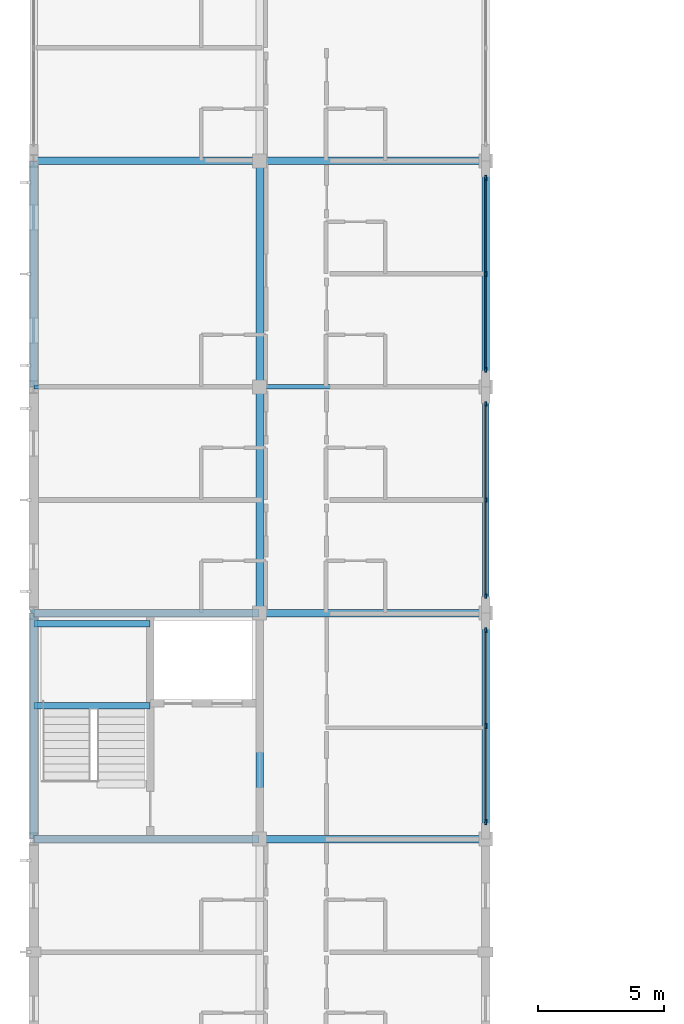
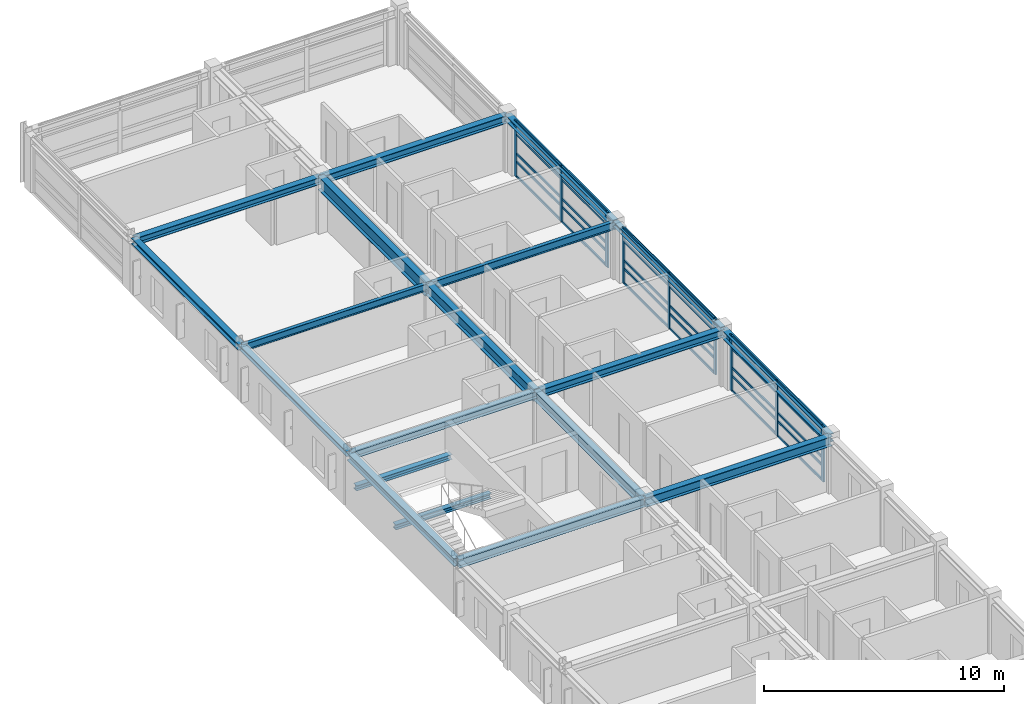
# One storey, part 8 of 30: 39 members, 19 beams, 3 elements without a shape of their own.
"""IFC4 building model written with IfcOpenShell, lengths in metres."""

from ifc_helpers import new_model, si_unit, direction, frame, origin, origin_2d, place, context, subcontext, project, spatial, rectangle, i_section, extrude, material, material_profile, profile_set, type_object, element, aggregate, save


model = new_model("IFC4")

# Units and contexts
model_context = context("Model", 3, precision=1e-05, world=origin(), true_north=direction((0.0, 1.0)))
body_context = subcontext(model_context, "Body", "Model", "MODEL_VIEW")
ifc_project = project(units=[si_unit("LENGTHUNIT", "METRE"), si_unit("AREAUNIT", "SQUARE_METRE"), si_unit("VOLUMEUNIT", "CUBIC_METRE"), si_unit("PLANEANGLEUNIT", "RADIAN"), si_unit("MASSUNIT", "GRAM", prefix="KILO")], contexts=[model_context])

# Site, building, storey
site_placement = place(None, origin())
site = spatial("IfcSite", under=ifc_project, at=site_placement, CompositionType="ELEMENT")
building_placement = place(site_placement, origin())
building = spatial("IfcBuilding", under=site, at=building_placement, Name="Palais des Congres Ocreval", CompositionType="ELEMENT")
storey_placement = place(building_placement, frame((0.0, 0.0, 14.56005859375)))
storey = spatial("IfcBuildingStorey", under=building, at=storey_placement, Name="L04", CompositionType="ELEMENT", Elevation=14.56005859375)

# Beams
ifc_material_1 = material(Name="Steel S355", Category="steel")
ifc_material_profile_1 = material_profile(ifc_material_1, i_section(OverallWidth=0.169921875, OverallDepth=0.360107421875, WebThickness=0.008056640625, FlangeThickness=0.0126953125, at=origin_2d()), Name="IPE 360")
ifc_profile_set_1 = profile_set([ifc_material_profile_1], Name="Steel S355")
beam_type_1 = type_object("IfcBeamType", Name="Composite Beam IPE 360 Steel S355", PredefinedType="BEAM", material=ifc_profile_set_1)
beam_1_placement = place(storey_placement, frame((0.02001953125, 54.0, 2.599853515625), z_axis=(1.0, 0.0, 0.0), x_axis=(0.0, 1.0, 0.0)))
element("IfcBeam", 1, at=beam_1_placement, inside=storey, type_object=beam_type_1, Name="Beam B01 L04", PredefinedType="BEAM", context=body_context, shape_type="SweptSolid", body=[
    extrude(i_section(OverallWidth=0.169921875, OverallDepth=0.360107421875, WebThickness=0.008056640625, FlangeThickness=0.0126953125, at=origin_2d()), origin(), (0.0, 0.0, 1.0), 8.9599609375),
])
ifc_material_profile_2 = material_profile(ifc_material_1, i_section(OverallWidth=0.179931640625, OverallDepth=0.39990234375, WebThickness=0.008544921875, FlangeThickness=0.013427734375, at=origin_2d()), Name="IPE 400")
ifc_profile_set_2 = profile_set([ifc_material_profile_2], Name="Steel S355")
beam_type_2 = type_object("IfcBeamType", Name="Composite Beam IPE 400 Steel S355", PredefinedType="BEAM", material=ifc_profile_set_2)
beam_2_placement = place(storey_placement, frame((9.02001953125, 54.0, 2.579833984375), z_axis=(1.0, 0.0, 0.0), x_axis=(0.0, 1.0, 0.0)))
element("IfcBeam", 2, at=beam_2_placement, inside=storey, type_object=beam_type_2, Name="Beam B02 L04", PredefinedType="BEAM", context=body_context, shape_type="SweptSolid", body=[
    extrude(i_section(OverallWidth=0.179931640625, OverallDepth=0.39990234375, WebThickness=0.008544921875, FlangeThickness=0.013427734375, at=origin_2d()), origin(), (0.0, 0.0, 1.0), 8.9599609375),
])

# Curtain wall, members
ifc_material_2 = material(Name="Anodized bronze aluminium and low-E glass", Category="glass")
curtain_wall_type = type_object("IfcCurtainWallType", Name="Unitised Curtain Wall 7900x2820", PredefinedType="USERDEFINED", material=ifc_material_2)
curtain_wall_1_placement = place(storey_placement, origin())
curtain_wall_1 = element("IfcCurtainWall", 3, at=curtain_wall_1_placement, inside=storey, type_object=curtain_wall_type, Name="Unitised Curtain Wall CW04 L04", ObjectType="UNITISED CURTAIN WALL", PredefinedType="USERDEFINED")
ifc_material_3 = material(Name="Anodized bronze aluminium", Category="aluminium")
ifc_material_profile_3 = material_profile(ifc_material_3, rectangle(XDim=0.06494140625, YDim=0.179931640625, at=origin_2d()), Name="ALU 65x180")
ifc_profile_set_3 = profile_set([ifc_material_profile_3], Name="Anodized bronze aluminium")
member_type_1 = type_object("IfcMemberType", Name="Curtain Wall Mullion ALU 65x180", PredefinedType="MULLION", material=ifc_profile_set_3)
member_1_placement = place(storey_placement, frame((18.0, 53.3173828125, 0.0), z_axis=(0.0, 0.0, 1.0), x_axis=(1.0, 0.0, 0.0)))
member_1 = element("IfcMember", 4, at=member_1_placement, type_object=member_type_1, Name="Curtain Wall Mullion ML03", PredefinedType="MULLION", context=body_context, shape_type="SweptSolid", body=[
    extrude(rectangle(XDim=0.06494140625, YDim=0.179931640625, at=origin_2d()), origin(), (0.0, 0.0, 1.0), 2.81982421875),
])
member_2_placement = place(storey_placement, frame((18.0, 49.5, 0.0), z_axis=(0.0, 0.0, 1.0), x_axis=(1.0, 0.0, 0.0)))
member_2 = element("IfcMember", 5, at=member_2_placement, type_object=member_type_1, Name="Curtain Wall Mullion ML03", PredefinedType="MULLION", context=body_context, shape_type="SweptSolid", body=[
    extrude(rectangle(XDim=0.06494140625, YDim=0.179931640625, at=origin_2d()), origin(), (0.0, 0.0, 1.0), 2.81982421875),
])
member_3_placement = place(storey_placement, frame((18.0, 45.6826171875, 0.0), z_axis=(0.0, 0.0, 1.0), x_axis=(1.0, 0.0, 0.0)))
member_3 = element("IfcMember", 6, at=member_3_placement, type_object=member_type_1, Name="Curtain Wall Mullion ML03", PredefinedType="MULLION", context=body_context, shape_type="SweptSolid", body=[
    extrude(rectangle(XDim=0.06494140625, YDim=0.179931640625, at=origin_2d()), origin(), (0.0, 0.0, 1.0), 2.81982421875),
])

curtain_wall_2_placement = place(storey_placement, origin())
curtain_wall_2 = element("IfcCurtainWall", 7, at=curtain_wall_2_placement, inside=storey, type_object=curtain_wall_type, Name="Unitised Curtain Wall CW04 L04", ObjectType="UNITISED CURTAIN WALL", PredefinedType="USERDEFINED")
ifc_material_profile_4 = material_profile(ifc_material_3, rectangle(XDim=0.070068359375, YDim=0.2099609375, at=origin_2d()), Name="ALU 70x210")
ifc_profile_set_4 = profile_set([ifc_material_profile_4], Name="Anodized bronze aluminium")
member_type_2 = type_object("IfcMemberType", Name="Curtain Wall Mullion ALU 70x210", PredefinedType="MULLION", material=ifc_profile_set_4)
member_4_placement = place(storey_placement, frame((18.0, 62.31494140625, 0.0), z_axis=(0.0, 0.0, 1.0), x_axis=(1.0, 0.0, 0.0)))
member_4 = element("IfcMember", 8, at=member_4_placement, type_object=member_type_2, Name="Curtain Wall Mullion ML02", PredefinedType="MULLION", context=body_context, shape_type="SweptSolid", body=[
    extrude(rectangle(XDim=0.070068359375, YDim=0.2099609375, at=origin_2d()), origin(), (0.0, 0.0, 1.0), 2.81982421875),
])
member_5_placement = place(storey_placement, frame((18.0, 58.5, 0.0), z_axis=(0.0, 0.0, 1.0), x_axis=(1.0, 0.0, 0.0)))
member_5 = element("IfcMember", 9, at=member_5_placement, type_object=member_type_2, Name="Curtain Wall Mullion ML02", PredefinedType="MULLION", context=body_context, shape_type="SweptSolid", body=[
    extrude(rectangle(XDim=0.070068359375, YDim=0.2099609375, at=origin_2d()), origin(), (0.0, 0.0, 1.0), 2.81982421875),
])
member_6_placement = place(storey_placement, frame((18.0, 54.68505859375, 0.0), z_axis=(0.0, 0.0, 1.0), x_axis=(1.0, 0.0, 0.0)))
member_6 = element("IfcMember", 10, at=member_6_placement, type_object=member_type_2, Name="Curtain Wall Mullion ML02", PredefinedType="MULLION", context=body_context, shape_type="SweptSolid", body=[
    extrude(rectangle(XDim=0.070068359375, YDim=0.2099609375, at=origin_2d()), origin(), (0.0, 0.0, 1.0), 2.81982421875),
])

curtain_wall_3_placement = place(storey_placement, origin())
curtain_wall_3 = element("IfcCurtainWall", 11, at=curtain_wall_3_placement, inside=storey, type_object=curtain_wall_type, Name="Unitised Curtain Wall CW04 L04", ObjectType="UNITISED CURTAIN WALL", PredefinedType="USERDEFINED")
member_7_placement = place(storey_placement, frame((18.0, 44.31494140625, 0.0), z_axis=(0.0, 0.0, 1.0), x_axis=(1.0, 0.0, 0.0)))
member_7 = element("IfcMember", 12, at=member_7_placement, type_object=member_type_2, Name="Curtain Wall Mullion ML02", PredefinedType="MULLION", context=body_context, shape_type="SweptSolid", body=[
    extrude(rectangle(XDim=0.070068359375, YDim=0.2099609375, at=origin_2d()), origin(), (0.0, 0.0, 1.0), 2.81982421875),
])
member_8_placement = place(storey_placement, frame((18.0, 40.5, 0.0), z_axis=(0.0, 0.0, 1.0), x_axis=(1.0, 0.0, 0.0)))
member_8 = element("IfcMember", 13, at=member_8_placement, type_object=member_type_2, Name="Curtain Wall Mullion ML02", PredefinedType="MULLION", context=body_context, shape_type="SweptSolid", body=[
    extrude(rectangle(XDim=0.070068359375, YDim=0.2099609375, at=origin_2d()), origin(), (0.0, 0.0, 1.0), 2.81982421875),
])
member_9_placement = place(storey_placement, frame((18.0, 36.68505859375, 0.0), z_axis=(0.0, 0.0, 1.0), x_axis=(1.0, 0.0, 0.0)))
member_9 = element("IfcMember", 14, at=member_9_placement, type_object=member_type_2, Name="Curtain Wall Mullion ML02", PredefinedType="MULLION", context=body_context, shape_type="SweptSolid", body=[
    extrude(rectangle(XDim=0.070068359375, YDim=0.2099609375, at=origin_2d()), origin(), (0.0, 0.0, 1.0), 2.81982421875),
])

# Member
ifc_material_profile_5 = material_profile(ifc_material_3, rectangle(XDim=0.06005859375, YDim=0.1201171875, at=origin_2d()), Name="ALU 60x120")
ifc_profile_set_5 = profile_set([ifc_material_profile_5], Name="Anodized bronze aluminium")
member_type_3 = type_object("IfcMemberType", Name="Curtain Wall Transom ALU 60x120", PredefinedType="USERDEFINED", material=ifc_profile_set_5)
member_10_placement = place(storey_placement, frame((18.0, 62.280029296875, 0.030029296875), z_axis=(0.0, -1.0, 0.0), x_axis=(1.0, 0.0, 0.0)))
member_10 = element("IfcMember", 15, at=member_10_placement, type_object=member_type_3, Name="Curtain Wall Transom TR02", ObjectType="TRANSOM", PredefinedType="USERDEFINED", context=body_context, shape_type="SweptSolid", body=[
    extrude(rectangle(XDim=0.06005859375, YDim=0.1201171875, at=origin_2d()), origin(), (0.0, 0.0, 1.0), 3.7451171875),
])

member_11_placement = place(storey_placement, frame((18.0, 62.280029296875, 0.780029296875), z_axis=(0.0, -1.0, 0.0), x_axis=(1.0, 0.0, 0.0)))
member_11 = element("IfcMember", 16, at=member_11_placement, type_object=member_type_3, Name="Curtain Wall Transom TR02", ObjectType="TRANSOM", PredefinedType="USERDEFINED", context=body_context, shape_type="SweptSolid", body=[
    extrude(rectangle(XDim=0.06005859375, YDim=0.1201171875, at=origin_2d()), origin(), (0.0, 0.0, 1.0), 3.7451171875),
])

member_12_placement = place(storey_placement, frame((18.0, 62.280029296875, 1.193359375), z_axis=(0.0, -1.0, 0.0), x_axis=(1.0, 0.0, 0.0)))
member_12 = element("IfcMember", 17, at=member_12_placement, type_object=member_type_3, Name="Curtain Wall Transom TR02", ObjectType="TRANSOM", PredefinedType="USERDEFINED", context=body_context, shape_type="SweptSolid", body=[
    extrude(rectangle(XDim=0.06005859375, YDim=0.1201171875, at=origin_2d()), origin(), (0.0, 0.0, 1.0), 3.7451171875),
])

member_13_placement = place(storey_placement, frame((18.0, 62.280029296875, 2.169921875), z_axis=(0.0, -1.0, 0.0), x_axis=(1.0, 0.0, 0.0)))
member_13 = element("IfcMember", 18, at=member_13_placement, type_object=member_type_3, Name="Curtain Wall Transom TR02", ObjectType="TRANSOM", PredefinedType="USERDEFINED", context=body_context, shape_type="SweptSolid", body=[
    extrude(rectangle(XDim=0.06005859375, YDim=0.1201171875, at=origin_2d()), origin(), (0.0, 0.0, 1.0), 3.7451171875),
])

member_14_placement = place(storey_placement, frame((18.0, 62.280029296875, 2.7900390625), z_axis=(0.0, -1.0, 0.0), x_axis=(1.0, 0.0, 0.0)))
member_14 = element("IfcMember", 19, at=member_14_placement, type_object=member_type_3, Name="Curtain Wall Transom TR02", ObjectType="TRANSOM", PredefinedType="USERDEFINED", context=body_context, shape_type="SweptSolid", body=[
    extrude(rectangle(XDim=0.06005859375, YDim=0.1201171875, at=origin_2d()), origin(), (0.0, 0.0, 1.0), 3.7451171875),
])

member_15_placement = place(storey_placement, frame((18.0, 58.465087890625, 0.030029296875), z_axis=(0.0, -1.0, 0.0), x_axis=(1.0, 0.0, 0.0)))
member_15 = element("IfcMember", 20, at=member_15_placement, type_object=member_type_3, Name="Curtain Wall Transom TR02", ObjectType="TRANSOM", PredefinedType="USERDEFINED", context=body_context, shape_type="SweptSolid", body=[
    extrude(rectangle(XDim=0.06005859375, YDim=0.1201171875, at=origin_2d()), origin(), (0.0, 0.0, 1.0), 3.7451171875),
])

member_16_placement = place(storey_placement, frame((18.0, 58.465087890625, 0.780029296875), z_axis=(0.0, -1.0, 0.0), x_axis=(1.0, 0.0, 0.0)))
member_16 = element("IfcMember", 21, at=member_16_placement, type_object=member_type_3, Name="Curtain Wall Transom TR02", ObjectType="TRANSOM", PredefinedType="USERDEFINED", context=body_context, shape_type="SweptSolid", body=[
    extrude(rectangle(XDim=0.06005859375, YDim=0.1201171875, at=origin_2d()), origin(), (0.0, 0.0, 1.0), 3.7451171875),
])

member_17_placement = place(storey_placement, frame((18.0, 58.465087890625, 1.193359375), z_axis=(0.0, -1.0, 0.0), x_axis=(1.0, 0.0, 0.0)))
member_17 = element("IfcMember", 22, at=member_17_placement, type_object=member_type_3, Name="Curtain Wall Transom TR02", ObjectType="TRANSOM", PredefinedType="USERDEFINED", context=body_context, shape_type="SweptSolid", body=[
    extrude(rectangle(XDim=0.06005859375, YDim=0.1201171875, at=origin_2d()), origin(), (0.0, 0.0, 1.0), 3.7451171875),
])

member_18_placement = place(storey_placement, frame((18.0, 58.465087890625, 2.169921875), z_axis=(0.0, -1.0, 0.0), x_axis=(1.0, 0.0, 0.0)))
member_18 = element("IfcMember", 23, at=member_18_placement, type_object=member_type_3, Name="Curtain Wall Transom TR02", ObjectType="TRANSOM", PredefinedType="USERDEFINED", context=body_context, shape_type="SweptSolid", body=[
    extrude(rectangle(XDim=0.06005859375, YDim=0.1201171875, at=origin_2d()), origin(), (0.0, 0.0, 1.0), 3.7451171875),
])

member_19_placement = place(storey_placement, frame((18.0, 58.465087890625, 2.7900390625), z_axis=(0.0, -1.0, 0.0), x_axis=(1.0, 0.0, 0.0)))
member_19 = element("IfcMember", 24, at=member_19_placement, type_object=member_type_3, Name="Curtain Wall Transom TR02", ObjectType="TRANSOM", PredefinedType="USERDEFINED", context=body_context, shape_type="SweptSolid", body=[
    extrude(rectangle(XDim=0.06005859375, YDim=0.1201171875, at=origin_2d()), origin(), (0.0, 0.0, 1.0), 3.7451171875),
])

aggregate(curtain_wall_2, [member_4, member_5, member_6, member_10, member_11, member_12, member_13, member_14, member_15, member_16, member_17, member_18, member_19])

member_20_placement = place(storey_placement, frame((18.0, 53.284912109375, 0.030029296875), z_axis=(0.0, -1.0, 0.0), x_axis=(1.0, 0.0, 0.0)))
member_20 = element("IfcMember", 25, at=member_20_placement, type_object=member_type_3, Name="Curtain Wall Transom TR02", ObjectType="TRANSOM", PredefinedType="USERDEFINED", context=body_context, shape_type="SweptSolid", body=[
    extrude(rectangle(XDim=0.06005859375, YDim=0.1201171875, at=origin_2d()), origin(), (0.0, 0.0, 1.0), 3.75244140625),
])

member_21_placement = place(storey_placement, frame((18.0, 53.284912109375, 0.780029296875), z_axis=(0.0, -1.0, 0.0), x_axis=(1.0, 0.0, 0.0)))
member_21 = element("IfcMember", 26, at=member_21_placement, type_object=member_type_3, Name="Curtain Wall Transom TR02", ObjectType="TRANSOM", PredefinedType="USERDEFINED", context=body_context, shape_type="SweptSolid", body=[
    extrude(rectangle(XDim=0.06005859375, YDim=0.1201171875, at=origin_2d()), origin(), (0.0, 0.0, 1.0), 3.75244140625),
])

member_22_placement = place(storey_placement, frame((18.0, 53.284912109375, 1.193359375), z_axis=(0.0, -1.0, 0.0), x_axis=(1.0, 0.0, 0.0)))
member_22 = element("IfcMember", 27, at=member_22_placement, type_object=member_type_3, Name="Curtain Wall Transom TR02", ObjectType="TRANSOM", PredefinedType="USERDEFINED", context=body_context, shape_type="SweptSolid", body=[
    extrude(rectangle(XDim=0.06005859375, YDim=0.1201171875, at=origin_2d()), origin(), (0.0, 0.0, 1.0), 3.75244140625),
])

member_23_placement = place(storey_placement, frame((18.0, 53.284912109375, 2.169921875), z_axis=(0.0, -1.0, 0.0), x_axis=(1.0, 0.0, 0.0)))
member_23 = element("IfcMember", 28, at=member_23_placement, type_object=member_type_3, Name="Curtain Wall Transom TR02", ObjectType="TRANSOM", PredefinedType="USERDEFINED", context=body_context, shape_type="SweptSolid", body=[
    extrude(rectangle(XDim=0.06005859375, YDim=0.1201171875, at=origin_2d()), origin(), (0.0, 0.0, 1.0), 3.75244140625),
])

member_24_placement = place(storey_placement, frame((18.0, 53.284912109375, 2.7900390625), z_axis=(0.0, -1.0, 0.0), x_axis=(1.0, 0.0, 0.0)))
member_24 = element("IfcMember", 29, at=member_24_placement, type_object=member_type_3, Name="Curtain Wall Transom TR02", ObjectType="TRANSOM", PredefinedType="USERDEFINED", context=body_context, shape_type="SweptSolid", body=[
    extrude(rectangle(XDim=0.06005859375, YDim=0.1201171875, at=origin_2d()), origin(), (0.0, 0.0, 1.0), 3.75244140625),
])

member_25_placement = place(storey_placement, frame((18.0, 49.467529296875, 0.030029296875), z_axis=(0.0, -1.0, 0.0), x_axis=(1.0, 0.0, 0.0)))
member_25 = element("IfcMember", 30, at=member_25_placement, type_object=member_type_3, Name="Curtain Wall Transom TR02", ObjectType="TRANSOM", PredefinedType="USERDEFINED", context=body_context, shape_type="SweptSolid", body=[
    extrude(rectangle(XDim=0.06005859375, YDim=0.1201171875, at=origin_2d()), origin(), (0.0, 0.0, 1.0), 3.75244140625),
])

member_26_placement = place(storey_placement, frame((18.0, 49.467529296875, 0.780029296875), z_axis=(0.0, -1.0, 0.0), x_axis=(1.0, 0.0, 0.0)))
member_26 = element("IfcMember", 31, at=member_26_placement, type_object=member_type_3, Name="Curtain Wall Transom TR02", ObjectType="TRANSOM", PredefinedType="USERDEFINED", context=body_context, shape_type="SweptSolid", body=[
    extrude(rectangle(XDim=0.06005859375, YDim=0.1201171875, at=origin_2d()), origin(), (0.0, 0.0, 1.0), 3.75244140625),
])

member_27_placement = place(storey_placement, frame((18.0, 49.467529296875, 1.193359375), z_axis=(0.0, -1.0, 0.0), x_axis=(1.0, 0.0, 0.0)))
member_27 = element("IfcMember", 32, at=member_27_placement, type_object=member_type_3, Name="Curtain Wall Transom TR02", ObjectType="TRANSOM", PredefinedType="USERDEFINED", context=body_context, shape_type="SweptSolid", body=[
    extrude(rectangle(XDim=0.06005859375, YDim=0.1201171875, at=origin_2d()), origin(), (0.0, 0.0, 1.0), 3.75244140625),
])

member_28_placement = place(storey_placement, frame((18.0, 49.467529296875, 2.169921875), z_axis=(0.0, -1.0, 0.0), x_axis=(1.0, 0.0, 0.0)))
member_28 = element("IfcMember", 33, at=member_28_placement, type_object=member_type_3, Name="Curtain Wall Transom TR02", ObjectType="TRANSOM", PredefinedType="USERDEFINED", context=body_context, shape_type="SweptSolid", body=[
    extrude(rectangle(XDim=0.06005859375, YDim=0.1201171875, at=origin_2d()), origin(), (0.0, 0.0, 1.0), 3.75244140625),
])

member_29_placement = place(storey_placement, frame((18.0, 49.467529296875, 2.7900390625), z_axis=(0.0, -1.0, 0.0), x_axis=(1.0, 0.0, 0.0)))
member_29 = element("IfcMember", 34, at=member_29_placement, type_object=member_type_3, Name="Curtain Wall Transom TR02", ObjectType="TRANSOM", PredefinedType="USERDEFINED", context=body_context, shape_type="SweptSolid", body=[
    extrude(rectangle(XDim=0.06005859375, YDim=0.1201171875, at=origin_2d()), origin(), (0.0, 0.0, 1.0), 3.75244140625),
])

aggregate(curtain_wall_1, [member_1, member_2, member_3, member_20, member_21, member_22, member_23, member_24, member_25, member_26, member_27, member_28, member_29])

member_30_placement = place(storey_placement, frame((18.0, 44.280029296875, 0.030029296875), z_axis=(0.0, -1.0, 0.0), x_axis=(1.0, 0.0, 0.0)))
member_30 = element("IfcMember", 35, at=member_30_placement, type_object=member_type_3, Name="Curtain Wall Transom TR02", ObjectType="TRANSOM", PredefinedType="USERDEFINED", context=body_context, shape_type="SweptSolid", body=[
    extrude(rectangle(XDim=0.06005859375, YDim=0.1201171875, at=origin_2d()), origin(), (0.0, 0.0, 1.0), 3.7451171875),
])

member_31_placement = place(storey_placement, frame((18.0, 44.280029296875, 0.780029296875), z_axis=(0.0, -1.0, 0.0), x_axis=(1.0, 0.0, 0.0)))
member_31 = element("IfcMember", 36, at=member_31_placement, type_object=member_type_3, Name="Curtain Wall Transom TR02", ObjectType="TRANSOM", PredefinedType="USERDEFINED", context=body_context, shape_type="SweptSolid", body=[
    extrude(rectangle(XDim=0.06005859375, YDim=0.1201171875, at=origin_2d()), origin(), (0.0, 0.0, 1.0), 3.7451171875),
])

member_32_placement = place(storey_placement, frame((18.0, 44.280029296875, 1.193359375), z_axis=(0.0, -1.0, 0.0), x_axis=(1.0, 0.0, 0.0)))
member_32 = element("IfcMember", 37, at=member_32_placement, type_object=member_type_3, Name="Curtain Wall Transom TR02", ObjectType="TRANSOM", PredefinedType="USERDEFINED", context=body_context, shape_type="SweptSolid", body=[
    extrude(rectangle(XDim=0.06005859375, YDim=0.1201171875, at=origin_2d()), origin(), (0.0, 0.0, 1.0), 3.7451171875),
])

member_33_placement = place(storey_placement, frame((18.0, 44.280029296875, 2.169921875), z_axis=(0.0, -1.0, 0.0), x_axis=(1.0, 0.0, 0.0)))
member_33 = element("IfcMember", 38, at=member_33_placement, type_object=member_type_3, Name="Curtain Wall Transom TR02", ObjectType="TRANSOM", PredefinedType="USERDEFINED", context=body_context, shape_type="SweptSolid", body=[
    extrude(rectangle(XDim=0.06005859375, YDim=0.1201171875, at=origin_2d()), origin(), (0.0, 0.0, 1.0), 3.7451171875),
])

member_34_placement = place(storey_placement, frame((18.0, 44.280029296875, 2.7900390625), z_axis=(0.0, -1.0, 0.0), x_axis=(1.0, 0.0, 0.0)))
member_34 = element("IfcMember", 39, at=member_34_placement, type_object=member_type_3, Name="Curtain Wall Transom TR02", ObjectType="TRANSOM", PredefinedType="USERDEFINED", context=body_context, shape_type="SweptSolid", body=[
    extrude(rectangle(XDim=0.06005859375, YDim=0.1201171875, at=origin_2d()), origin(), (0.0, 0.0, 1.0), 3.7451171875),
])

member_35_placement = place(storey_placement, frame((18.0, 40.465087890625, 0.030029296875), z_axis=(0.0, -1.0, 0.0), x_axis=(1.0, 0.0, 0.0)))
member_35 = element("IfcMember", 40, at=member_35_placement, type_object=member_type_3, Name="Curtain Wall Transom TR02", ObjectType="TRANSOM", PredefinedType="USERDEFINED", context=body_context, shape_type="SweptSolid", body=[
    extrude(rectangle(XDim=0.06005859375, YDim=0.1201171875, at=origin_2d()), origin(), (0.0, 0.0, 1.0), 3.7451171875),
])

member_36_placement = place(storey_placement, frame((18.0, 40.465087890625, 0.780029296875), z_axis=(0.0, -1.0, 0.0), x_axis=(1.0, 0.0, 0.0)))
member_36 = element("IfcMember", 41, at=member_36_placement, type_object=member_type_3, Name="Curtain Wall Transom TR02", ObjectType="TRANSOM", PredefinedType="USERDEFINED", context=body_context, shape_type="SweptSolid", body=[
    extrude(rectangle(XDim=0.06005859375, YDim=0.1201171875, at=origin_2d()), origin(), (0.0, 0.0, 1.0), 3.7451171875),
])

member_37_placement = place(storey_placement, frame((18.0, 40.465087890625, 1.193359375), z_axis=(0.0, -1.0, 0.0), x_axis=(1.0, 0.0, 0.0)))
member_37 = element("IfcMember", 42, at=member_37_placement, type_object=member_type_3, Name="Curtain Wall Transom TR02", ObjectType="TRANSOM", PredefinedType="USERDEFINED", context=body_context, shape_type="SweptSolid", body=[
    extrude(rectangle(XDim=0.06005859375, YDim=0.1201171875, at=origin_2d()), origin(), (0.0, 0.0, 1.0), 3.7451171875),
])

member_38_placement = place(storey_placement, frame((18.0, 40.465087890625, 2.169921875), z_axis=(0.0, -1.0, 0.0), x_axis=(1.0, 0.0, 0.0)))
member_38 = element("IfcMember", 43, at=member_38_placement, type_object=member_type_3, Name="Curtain Wall Transom TR02", ObjectType="TRANSOM", PredefinedType="USERDEFINED", context=body_context, shape_type="SweptSolid", body=[
    extrude(rectangle(XDim=0.06005859375, YDim=0.1201171875, at=origin_2d()), origin(), (0.0, 0.0, 1.0), 3.7451171875),
])

member_39_placement = place(storey_placement, frame((18.0, 40.465087890625, 2.7900390625), z_axis=(0.0, -1.0, 0.0), x_axis=(1.0, 0.0, 0.0)))
member_39 = element("IfcMember", 44, at=member_39_placement, type_object=member_type_3, Name="Curtain Wall Transom TR02", ObjectType="TRANSOM", PredefinedType="USERDEFINED", context=body_context, shape_type="SweptSolid", body=[
    extrude(rectangle(XDim=0.06005859375, YDim=0.1201171875, at=origin_2d()), origin(), (0.0, 0.0, 1.0), 3.7451171875),
])

aggregate(curtain_wall_3, [member_7, member_8, member_9, member_30, member_31, member_32, member_33, member_34, member_35, member_36, member_37, member_38, member_39])

# Beams
ifc_material_profile_6 = material_profile(ifc_material_1, i_section(OverallWidth=0.260009765625, OverallDepth=0.260009765625, WebThickness=0.010009765625, FlangeThickness=0.017578125, at=origin_2d()), Name="HEB 260")
ifc_profile_set_6 = profile_set([ifc_material_profile_6], Name="Steel S355")
beam_type_3 = type_object("IfcBeamType", Name="Opening Lintel HEB 260 Steel S355", PredefinedType="LINTEL", material=ifc_profile_set_6)
for number, where, z_axis, x_axis, name in (
    (45, (0.0, 45.02001953125, 2.64990234375), (0.0, 1.0, 0.0), (-1.0, 0.0, 0.0), "Girder LN01 L04"),
    (46, (18.0, 45.02001953125, 2.64990234375), (0.0, 1.0, 0.0), (-1.0, 0.0, 0.0), "Girder LN01 L04"),
):
    element("IfcBeam", number, at=place(storey_placement, frame(where, z_axis=z_axis, x_axis=x_axis)), inside=storey, type_object=beam_type_3, Name=name, PredefinedType="LINTEL", context=body_context, shape_type="SweptSolid", body=[
        extrude(i_section(OverallWidth=0.260009765625, OverallDepth=0.260009765625, WebThickness=0.010009765625, FlangeThickness=0.017578125, at=origin_2d()), origin(), (0.0, 0.0, 1.0), 8.9599609375),
    ])
for number, where, z_axis, x_axis, name in (
    (47, (0.02001953125, 41.304931640625, 1.18994140625), (1.0, 0.0, 0.0), (0.0, 1.0, 0.0), "Stair Landing Support Beam ST03 L04-1"),
    (48, (0.02001953125, 44.580078125, 1.18994140625), (1.0, 0.0, 0.0), (0.0, 1.0, 0.0), "Stair Landing Support Beam ST03 L04-2"),
):
    element("IfcBeam", number, at=place(storey_placement, frame(where, z_axis=z_axis, x_axis=x_axis)), inside=storey, type_object=beam_type_3, Name=name, PredefinedType="LINTEL", context=body_context, shape_type="SweptSolid", body=[
        extrude(i_section(OverallWidth=0.260009765625, OverallDepth=0.260009765625, WebThickness=0.010009765625, FlangeThickness=0.017578125, at=origin_2d()), origin(), (0.0, 0.0, 1.0), 4.60986328125),
    ])
ifc_material_profile_7 = material_profile(ifc_material_1, i_section(OverallWidth=0.300048828125, OverallDepth=0.300048828125, WebThickness=0.010986328125, FlangeThickness=0.01904296875, at=origin_2d()), Name="HEB 300")
ifc_profile_set_7 = profile_set([ifc_material_profile_7], Name="Steel S355")
beam_type_4 = type_object("IfcBeamType", Name="Perimeter Spandrel HEB 300 Steel S355", PredefinedType="SPANDREL", material=ifc_profile_set_7)
for number, where, z_axis, x_axis, name in (
    (49, (0.0, 54.02001953125, 2.6298828125), (0.0, 1.0, 0.0), (-1.0, 0.0, 0.0), "Girder SP02 L04"),
    (50, (18.0, 54.02001953125, 2.6298828125), (0.0, 1.0, 0.0), (-1.0, 0.0, 0.0), "Girder SP02 L04"),
):
    element("IfcBeam", number, at=place(storey_placement, frame(where, z_axis=z_axis, x_axis=x_axis)), inside=storey, type_object=beam_type_4, Name=name, PredefinedType="SPANDREL", context=body_context, shape_type="SweptSolid", body=[
        extrude(i_section(OverallWidth=0.300048828125, OverallDepth=0.300048828125, WebThickness=0.010986328125, FlangeThickness=0.01904296875, at=origin_2d()), origin(), (0.0, 0.0, 1.0), 8.9599609375),
    ])
ifc_material_profile_8 = material_profile(ifc_material_1, i_section(OverallWidth=0.300048828125, OverallDepth=0.360107421875, WebThickness=0.012451171875, FlangeThickness=0.0224609375, at=origin_2d()), Name="HEB 360")
ifc_profile_set_8 = profile_set([ifc_material_profile_8], Name="Steel S355")
beam_type_5 = type_object("IfcBeamType", Name="Perimeter Spandrel HEB 360 Steel S355", PredefinedType="SPANDREL", material=ifc_profile_set_8)
for number, where, z_axis, x_axis, name in (
    (51, (0.02001953125, 45.0, 2.599853515625), (1.0, 0.0, 0.0), (0.0, 1.0, 0.0), "Beam SP03 L04"),
    (52, (0.02001953125, 63.0, 2.599853515625), (1.0, 0.0, 0.0), (0.0, 1.0, 0.0), "Beam SP03 L04"),
):
    element("IfcBeam", number, at=place(storey_placement, frame(where, z_axis=z_axis, x_axis=x_axis)), inside=storey, type_object=beam_type_5, Name=name, PredefinedType="SPANDREL", context=body_context, shape_type="SweptSolid", body=[
        extrude(i_section(OverallWidth=0.300048828125, OverallDepth=0.360107421875, WebThickness=0.012451171875, FlangeThickness=0.0224609375, at=origin_2d()), origin(), (0.0, 0.0, 1.0), 8.9599609375),
    ])
ifc_material_profile_9 = material_profile(ifc_material_1, i_section(OverallWidth=0.300048828125, OverallDepth=0.39990234375, WebThickness=0.013427734375, FlangeThickness=0.02392578125, at=origin_2d()), Name="HEB 400")
ifc_profile_set_9 = profile_set([ifc_material_profile_9], Name="Steel S355")
beam_type_6 = type_object("IfcBeamType", Name="Perimeter Spandrel HEB 400 Steel S355", PredefinedType="SPANDREL", material=ifc_profile_set_9)
for number, where, z_axis, x_axis, name in (
    (53, (0.0, 36.02001953125, 2.579833984375), (0.0, 1.0, 0.0), (-1.0, 0.0, 0.0), "Girder SP04 L04"),
    (54, (9.02001953125, 45.0, 2.579833984375), (1.0, 0.0, 0.0), (0.0, 1.0, 0.0), "Beam SP04 L04"),
    (55, (9.02001953125, 63.0, 2.579833984375), (1.0, 0.0, 0.0), (0.0, 1.0, 0.0), "Beam SP04 L04"),
    (56, (18.0, 36.02001953125, 2.579833984375), (0.0, 1.0, 0.0), (-1.0, 0.0, 0.0), "Girder SP04 L04"),
):
    element("IfcBeam", number, at=place(storey_placement, frame(where, z_axis=z_axis, x_axis=x_axis)), inside=storey, type_object=beam_type_6, Name=name, PredefinedType="SPANDREL", context=body_context, shape_type="SweptSolid", body=[
        extrude(i_section(OverallWidth=0.300048828125, OverallDepth=0.39990234375, WebThickness=0.013427734375, FlangeThickness=0.02392578125, at=origin_2d()), origin(), (0.0, 0.0, 1.0), 8.9599609375),
    ])
ifc_material_profile_10 = material_profile(ifc_material_1, i_section(OverallWidth=0.300048828125, OverallDepth=0.43994140625, WebThickness=0.011474609375, FlangeThickness=0.02099609375, at=origin_2d()), Name="HEA 450")
ifc_profile_set_10 = profile_set([ifc_material_profile_10], Name="Steel S355")
beam_type_7 = type_object("IfcBeamType", Name="Primary Beam HEA 450 Steel S355", PredefinedType="BEAM", material=ifc_profile_set_10)
beam_3_placement = place(storey_placement, frame((0.02001953125, 36.0, 2.56005859375), z_axis=(1.0, 0.0, 0.0), x_axis=(0.0, 1.0, 0.0)))
element("IfcBeam", 57, at=beam_3_placement, inside=storey, type_object=beam_type_7, Name="Beam B11 L04", PredefinedType="BEAM", context=body_context, shape_type="SweptSolid", body=[
    extrude(i_section(OverallWidth=0.300048828125, OverallDepth=0.43994140625, WebThickness=0.011474609375, FlangeThickness=0.02099609375, at=origin_2d()), origin(), (0.0, 0.0, 1.0), 8.9599609375),
])
ifc_material_profile_11 = material_profile(ifc_material_1, i_section(OverallWidth=0.300048828125, OverallDepth=0.489990234375, WebThickness=0.011962890625, FlangeThickness=0.02294921875, at=origin_2d()), Name="HEA 500")
ifc_profile_set_11 = profile_set([ifc_material_profile_11], Name="Steel S355")
beam_type_8 = type_object("IfcBeamType", Name="Primary Beam HEA 500 Steel S355", PredefinedType="BEAM", material=ifc_profile_set_11)
for number, where, z_axis, x_axis, name in (
    (58, (9.02001953125, 36.0, 2.534912109375), (1.0, 0.0, 0.0), (0.0, 1.0, 0.0), "Beam B12 L04"),
    (59, (9.0, 36.02001953125, 2.534912109375), (0.0, 1.0, 0.0), (-1.0, 0.0, 0.0), "Girder B12 L04"),
):
    element("IfcBeam", number, at=place(storey_placement, frame(where, z_axis=z_axis, x_axis=x_axis)), inside=storey, type_object=beam_type_8, Name=name, PredefinedType="BEAM", context=body_context, shape_type="SweptSolid", body=[
        extrude(i_section(OverallWidth=0.300048828125, OverallDepth=0.489990234375, WebThickness=0.011962890625, FlangeThickness=0.02294921875, at=origin_2d()), origin(), (0.0, 0.0, 1.0), 8.9599609375),
    ])
ifc_material_profile_12 = material_profile(ifc_material_1, i_section(OverallWidth=0.300048828125, OverallDepth=0.590087890625, WebThickness=0.012939453125, FlangeThickness=0.02490234375, at=origin_2d()), Name="HEA 600")
ifc_profile_set_12 = profile_set([ifc_material_profile_12], Name="Steel S355")
beam_type_9 = type_object("IfcBeamType", Name="Primary Girder HEA 600 Steel S355", PredefinedType="BEAM", material=ifc_profile_set_12)
beam_4_placement = place(storey_placement, frame((9.0, 45.02001953125, 2.48486328125), z_axis=(0.0, 1.0, 0.0), x_axis=(-1.0, 0.0, 0.0)))
element("IfcBeam", 60, at=beam_4_placement, inside=storey, type_object=beam_type_9, Name="Girder B13 L04", PredefinedType="BEAM", context=body_context, shape_type="SweptSolid", body=[
    extrude(i_section(OverallWidth=0.300048828125, OverallDepth=0.590087890625, WebThickness=0.012939453125, FlangeThickness=0.02490234375, at=origin_2d()), origin(), (0.0, 0.0, 1.0), 8.9599609375),
])
ifc_material_profile_13 = material_profile(ifc_material_1, i_section(OverallWidth=0.300048828125, OverallDepth=0.68994140625, WebThickness=0.014404296875, FlangeThickness=0.027099609375, at=origin_2d()), Name="HEA 700")
ifc_profile_set_13 = profile_set([ifc_material_profile_13], Name="Steel S355")
beam_type_10 = type_object("IfcBeamType", Name="Primary Girder HEA 700 Steel S355", PredefinedType="BEAM", material=ifc_profile_set_13)
beam_5_placement = place(storey_placement, frame((9.0, 54.02001953125, 2.43505859375), z_axis=(0.0, 1.0, 0.0), x_axis=(-1.0, 0.0, 0.0)))
element("IfcBeam", 61, at=beam_5_placement, inside=storey, type_object=beam_type_10, Name="Girder B14 L04", PredefinedType="BEAM", context=body_context, shape_type="SweptSolid", body=[
    extrude(i_section(OverallWidth=0.300048828125, OverallDepth=0.68994140625, WebThickness=0.014404296875, FlangeThickness=0.027099609375, at=origin_2d()), origin(), (0.0, 0.0, 1.0), 8.9599609375),
])

save(model, "model.ifc")
